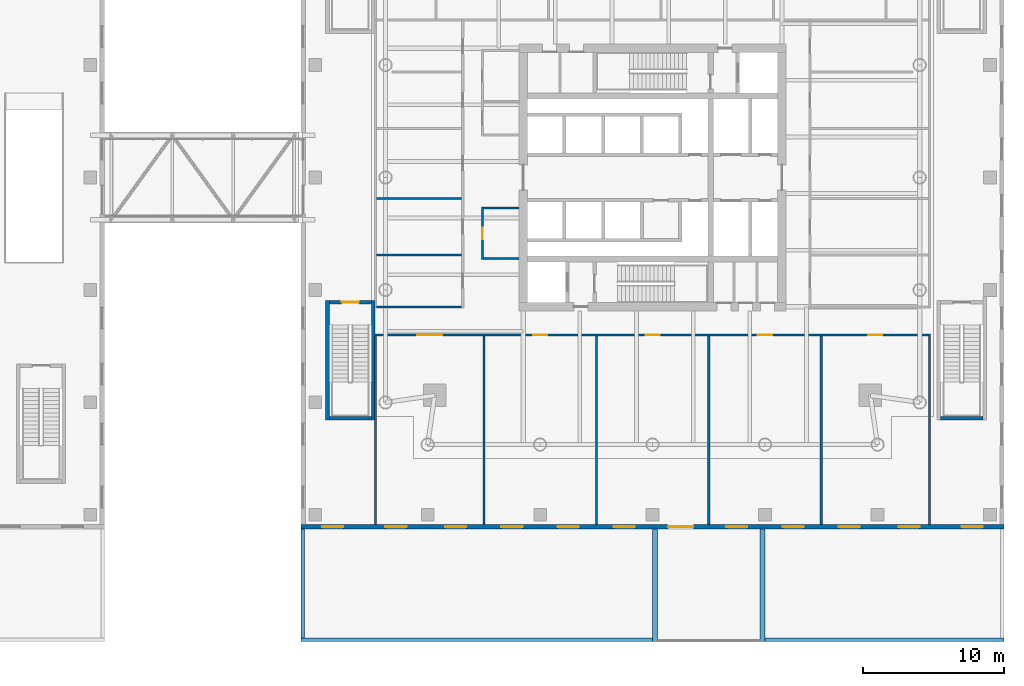
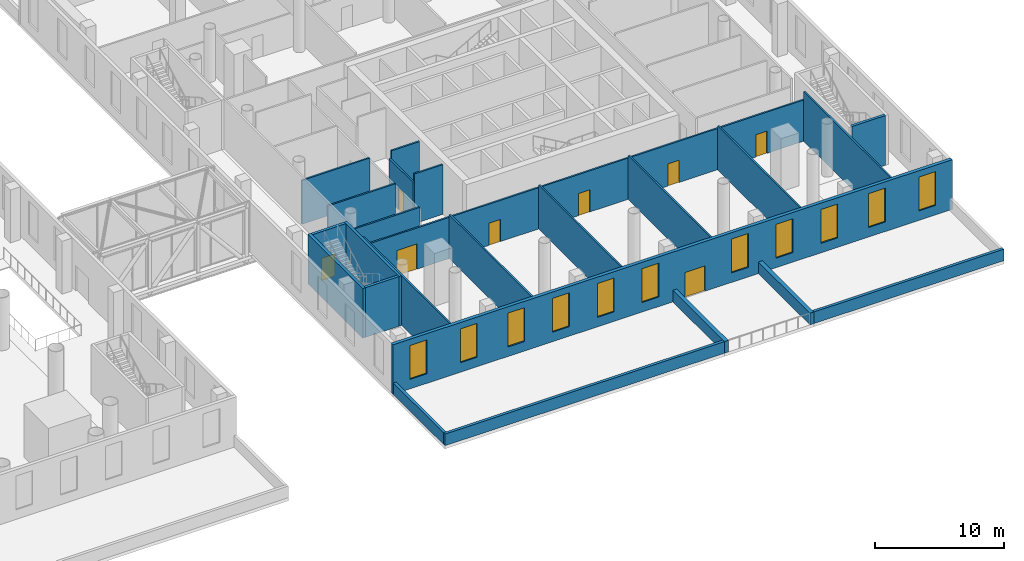
# One storey, part 13 of 23: 24 walls, 11 windows, 8 doors, 19 openings.
"""IFC4 building model written with IfcOpenShell, lengths in metres."""

from ifc_helpers import new_model, si_unit, direction, frame, frame_2d, origin, place, context, subcontext, project, spatial, rectangle, extrude, material, layer, layer_set, type_object, element, fill, save


model = new_model("IFC4")

# Units and contexts
model_context = context("Model", 3, precision=1e-05, world=origin(), true_north=direction((0.0, 1.0)))
body_context = subcontext(model_context, "Body", "Model", "MODEL_VIEW")
ifc_project = project(units=[si_unit("LENGTHUNIT", "METRE"), si_unit("AREAUNIT", "SQUARE_METRE"), si_unit("VOLUMEUNIT", "CUBIC_METRE"), si_unit("PLANEANGLEUNIT", "RADIAN"), si_unit("MASSUNIT", "GRAM", prefix="KILO")], contexts=[model_context])

# Site, building, storey
site_placement = place(None, origin())
site = spatial("IfcSite", under=ifc_project, at=site_placement, CompositionType="ELEMENT")
building_placement = place(site_placement, origin())
building = spatial("IfcBuilding", under=site, at=building_placement, Name="Ostroluk Exchange", CompositionType="ELEMENT")
storey_placement = place(building_placement, frame((0.0, 0.0, 11.0)))
storey = spatial("IfcBuildingStorey", under=building, at=storey_placement, Name="L02", CompositionType="ELEMENT", Elevation=11.0)

# Walls
ifc_material_1 = material(Name="Concrete blockwork", Category="masonry")
ifc_layer_1 = layer(ifc_material_1, 0.25)
ifc_layer_set_1 = layer_set([ifc_layer_1], Name="Blockwork stair enclosure wall 250")
wall_type_1 = type_object("IfcWallType", Name="Blockwork stair enclosure wall 250", PredefinedType="SOLIDWALL", material=ifc_layer_set_1)
for number, where, z_axis, x_axis, name in (
    (1, (93.875, 28.75, 0.0), (0.0, 0.0, 1.0), (0.0, 1.0, 0.0), "Stair PS5 enclosure wall"),
    (2, (97.125, 28.75, 0.0), (0.0, 0.0, 1.0), (0.0, 1.0, 0.0), "Stair PS5 enclosure wall"),
):
    element("IfcWall", number, at=place(storey_placement, frame(where, z_axis=z_axis, x_axis=x_axis)), inside=storey, type_object=wall_type_1, Name=name, PredefinedType="SOLIDWALL", context=body_context, shape_type="SweptSolid", body=[
        extrude(rectangle(XDim=8.5, YDim=0.25, at=frame_2d((4.25, 0.0))), origin(), (0.0, 0.0, 1.0), 4.699951171875),
    ])
wall_1_placement = place(storey_placement, frame((94.0, 28.875, 0.0), z_axis=(0.0, 0.0, 1.0), x_axis=(1.0, 0.0, 0.0)))
element("IfcWall", 3, at=wall_1_placement, inside=storey, type_object=wall_type_1, Name="Stair PS5 enclosure wall", PredefinedType="SOLIDWALL", context=body_context, shape_type="SweptSolid", body=[
    extrude(rectangle(XDim=3.0, YDim=0.25, at=frame_2d((1.5, 0.0))), origin(), (0.0, 0.0, 1.0), 4.699951171875),
])

# Wall, opening, door
wall_2_placement = place(storey_placement, frame((94.0, 37.125, 0.0), z_axis=(0.0, 0.0, 1.0), x_axis=(1.0, 0.0, 0.0)))
wall_2 = element("IfcWall", 4, at=wall_2_placement, inside=storey, type_object=wall_type_1, Name="Stair PS5 enclosure wall", PredefinedType="SOLIDWALL", context=body_context, shape_type="SweptSolid", body=[
    extrude(rectangle(XDim=3.0, YDim=0.25, at=frame_2d((1.5, 0.0))), origin(), (0.0, 0.0, 1.0), 4.699951171875),
])
opening_1_placement = place(wall_2_placement, frame((0.89990234375, 0.0, 0.0)))
opening_1 = element("IfcOpeningElement", 5, at=opening_1_placement, cuts=wall_2, Name="Opening FD60S", PredefinedType="OPENING", context=body_context, shape_type="SweptSolid", body=[
    extrude(rectangle(XDim=1.199951171875, YDim=2.10009765625, at=frame_2d((0.60009765625, 1.050048828125))), frame((0.0, 0.135009765625, 0.0), z_axis=(0.0, -1.0, 0.0), x_axis=(1.0, 0.0, 0.0)), (0.0, 0.0, 1.0), 0.27001953125),
])
ifc_material_2 = material(Name="Steel", Category="steel")
door_type_1 = type_object("IfcDoorType", Name="Stair door EI 60 1200 x 2100", OperationType="SINGLE_SWING_LEFT", PredefinedType="DOOR", material=ifc_material_2)
door_1_placement = place(opening_1_placement, origin())
door_1 = element("IfcDoor", 6, at=door_1_placement, inside=storey, type_object=door_type_1, Name="Stair PS5 door", OperationType="SINGLE_SWING_LEFT", OverallHeight=2.10009765625, OverallWidth=1.199951171875, PredefinedType="DOOR", context=body_context, shape_type="SweptSolid", body=[
    extrude(rectangle(XDim=1.199951171875, YDim=2.10009765625, at=frame_2d((0.60009765625, 1.050048828125))), frame((0.0, 0.02490234375, 0.0), z_axis=(0.0, -1.0, 0.0), x_axis=(1.0, 0.0, 0.0)), (0.0, 0.0, 1.0), 0.050048828125),
])
fill(opening_1, door_1)

# Walls
wall_3_placement = place(storey_placement, frame((137.5, 28.875, 0.0), z_axis=(0.0, 0.0, 1.0), x_axis=(1.0, 0.0, 0.0)))
element("IfcWall", 7, at=wall_3_placement, inside=storey, type_object=wall_type_1, Name="Stair PS7 enclosure wall", PredefinedType="SOLIDWALL", context=body_context, shape_type="SweptSolid", body=[
    extrude(rectangle(XDim=3.0, YDim=0.25, at=frame_2d((1.5, 0.0))), origin(), (0.0, 0.0, 1.0), 4.699951171875),
])
ifc_material_3 = material(Name="Limestone", Category="masonry")
ifc_layer_2 = layer(ifc_material_3, 0.25)
ifc_layer_set_2 = layer_set([ifc_layer_2], Name="Green roof parapet 250")
wall_type_2 = type_object("IfcWallType", Name="Green roof parapet 250", PredefinedType="PARAPET", material=ifc_layer_set_2)
wall_4_placement = place(storey_placement, frame((92.0, 13.125, 0.0), z_axis=(0.0, 0.0, 1.0), x_axis=(1.0, 0.0, 0.0)))
element("IfcWall", 8, at=wall_4_placement, inside=storey, type_object=wall_type_2, Name="Green roof parapet L02 1", PredefinedType="PARAPET", context=body_context, shape_type="SweptSolid", body=[
    extrude(rectangle(XDim=24.989990234375, YDim=0.25, at=frame_2d((12.4951171875, 0.0))), origin(), (0.0, 0.0, 1.0), 1.10009765625),
])
wall_5_placement = place(storey_placement, frame((92.125, 13.25, 0.0), z_axis=(0.0, 0.0, 1.0), x_axis=(0.0, 1.0, 0.0)))
element("IfcWall", 9, at=wall_5_placement, inside=storey, type_object=wall_type_2, Name="Green roof parapet L02 2", PredefinedType="PARAPET", context=body_context, shape_type="SweptSolid", body=[
    extrude(rectangle(XDim=7.739990234375, YDim=0.25, at=frame_2d((3.8701171875, 0.0))), origin(), (0.0, 0.0, 1.0), 1.10009765625),
])
wall_6_placement = place(storey_placement, frame((125.010009765625, 13.125, 0.0), z_axis=(0.0, 0.0, 1.0), x_axis=(1.0, 0.0, 0.0)))
element("IfcWall", 10, at=wall_6_placement, inside=storey, type_object=wall_type_2, Name="Green roof parapet L02 1", PredefinedType="PARAPET", context=body_context, shape_type="SweptSolid", body=[
    extrude(rectangle(XDim=16.989990234375, YDim=0.25, at=frame_2d((8.4951171875, 0.0))), origin(), (0.0, 0.0, 1.0), 1.10009765625),
])

# Wall, openings, windows, door
ifc_material_4 = material(Name="Limestone", Category="masonry")
ifc_layer_3 = layer(ifc_material_4, 0.300048828125)
ifc_layer_set_3 = layer_set([ifc_layer_3], Name="Limestone facade wall 300")
wall_type_3 = type_object("IfcWallType", Name="Limestone facade wall 300", PredefinedType="SOLIDWALL", material=ifc_layer_set_3)
wall_7_placement = place(storey_placement, frame((92.0, 21.14990234375, 0.0), z_axis=(0.0, 0.0, 1.0), x_axis=(1.0, 0.0, 0.0)))
wall_7 = element("IfcWall", 11, at=wall_7_placement, inside=storey, type_object=wall_type_3, Name="Podium east S wall L02 1a", PredefinedType="SOLIDWALL", context=body_context, shape_type="SweptSolid", body=[
    extrude(rectangle(XDim=50.0, YDim=0.300048828125, at=frame_2d((25.0, 0.0))), origin(), (0.0, 0.0, 1.0), 4.699951171875),
])
opening_2_placement = place(wall_7_placement, frame((1.5, 0.0, 0.89990234375)))
opening_2 = element("IfcOpeningElement", 12, at=opening_2_placement, cuts=wall_7, Name="Opening WN-L2", PredefinedType="OPENING", context=body_context, shape_type="SweptSolid", body=[
    extrude(rectangle(XDim=1.5, YDim=3.199951171875, at=frame_2d((0.75, 1.60009765625))), frame((0.0, 0.159912109375, 0.0), z_axis=(0.0, -1.0, 0.0), x_axis=(1.0, 0.0, 0.0)), (0.0, 0.0, 1.0), 0.320068359375),
])
opening_3_placement = place(wall_7_placement, frame((6.0, 0.0, 0.89990234375)))
opening_3 = element("IfcOpeningElement", 13, at=opening_3_placement, cuts=wall_7, Name="Opening WN-L2", PredefinedType="OPENING", context=body_context, shape_type="SweptSolid", body=[
    extrude(rectangle(XDim=1.5, YDim=3.199951171875, at=frame_2d((0.75, 1.60009765625))), frame((0.0, 0.159912109375, 0.0), z_axis=(0.0, -1.0, 0.0), x_axis=(1.0, 0.0, 0.0)), (0.0, 0.0, 1.0), 0.320068359375),
])
opening_4_placement = place(wall_7_placement, frame((10.25, 0.0, 0.89990234375)))
opening_4 = element("IfcOpeningElement", 14, at=opening_4_placement, cuts=wall_7, Name="Opening WN-L2", PredefinedType="OPENING", context=body_context, shape_type="SweptSolid", body=[
    extrude(rectangle(XDim=1.5, YDim=3.199951171875, at=frame_2d((0.75, 1.60009765625))), frame((0.0, 0.159912109375, 0.0), z_axis=(0.0, -1.0, 0.0), x_axis=(1.0, 0.0, 0.0)), (0.0, 0.0, 1.0), 0.320068359375),
])
opening_5_placement = place(wall_7_placement, frame((14.25, 0.0, 0.89990234375)))
opening_5 = element("IfcOpeningElement", 15, at=opening_5_placement, cuts=wall_7, Name="Opening WN-L2", PredefinedType="OPENING", context=body_context, shape_type="SweptSolid", body=[
    extrude(rectangle(XDim=1.5, YDim=3.199951171875, at=frame_2d((0.75, 1.60009765625))), frame((0.0, 0.159912109375, 0.0), z_axis=(0.0, -1.0, 0.0), x_axis=(1.0, 0.0, 0.0)), (0.0, 0.0, 1.0), 0.320068359375),
])
opening_6_placement = place(wall_7_placement, frame((18.25, 0.0, 0.89990234375)))
opening_6 = element("IfcOpeningElement", 16, at=opening_6_placement, cuts=wall_7, Name="Opening WN-L2", PredefinedType="OPENING", context=body_context, shape_type="SweptSolid", body=[
    extrude(rectangle(XDim=1.5, YDim=3.199951171875, at=frame_2d((0.75, 1.60009765625))), frame((0.0, 0.159912109375, 0.0), z_axis=(0.0, -1.0, 0.0), x_axis=(1.0, 0.0, 0.0)), (0.0, 0.0, 1.0), 0.320068359375),
])
opening_7_placement = place(wall_7_placement, frame((22.25, 0.0, 0.89990234375)))
opening_7 = element("IfcOpeningElement", 17, at=opening_7_placement, cuts=wall_7, Name="Opening WN-L2", PredefinedType="OPENING", context=body_context, shape_type="SweptSolid", body=[
    extrude(rectangle(XDim=1.5, YDim=3.199951171875, at=frame_2d((0.75, 1.60009765625))), frame((0.0, 0.159912109375, 0.0), z_axis=(0.0, -1.0, 0.0), x_axis=(1.0, 0.0, 0.0)), (0.0, 0.0, 1.0), 0.320068359375),
])
opening_8_placement = place(wall_7_placement, frame((26.10009765625, 0.0, 0.0)))
opening_8 = element("IfcOpeningElement", 18, at=opening_8_placement, cuts=wall_7, Name="Opening D-T1", PredefinedType="OPENING", context=body_context, shape_type="SweptSolid", body=[
    extrude(rectangle(XDim=1.800048828125, YDim=2.39990234375, at=frame_2d((0.89990234375, 1.199951171875))), frame((0.0, 0.159912109375, 0.0), z_axis=(0.0, -1.0, 0.0), x_axis=(1.0, 0.0, 0.0)), (0.0, 0.0, 1.0), 0.320068359375),
])
opening_9_placement = place(wall_7_placement, frame((30.25, 0.0, 0.89990234375)))
opening_9 = element("IfcOpeningElement", 19, at=opening_9_placement, cuts=wall_7, Name="Opening WN-L2", PredefinedType="OPENING", context=body_context, shape_type="SweptSolid", body=[
    extrude(rectangle(XDim=1.5, YDim=3.199951171875, at=frame_2d((0.75, 1.60009765625))), frame((0.0, 0.159912109375, 0.0), z_axis=(0.0, -1.0, 0.0), x_axis=(1.0, 0.0, 0.0)), (0.0, 0.0, 1.0), 0.320068359375),
])
opening_10_placement = place(wall_7_placement, frame((34.25, 0.0, 0.89990234375)))
opening_10 = element("IfcOpeningElement", 20, at=opening_10_placement, cuts=wall_7, Name="Opening WN-L2", PredefinedType="OPENING", context=body_context, shape_type="SweptSolid", body=[
    extrude(rectangle(XDim=1.5, YDim=3.199951171875, at=frame_2d((0.75, 1.60009765625))), frame((0.0, 0.159912109375, 0.0), z_axis=(0.0, -1.0, 0.0), x_axis=(1.0, 0.0, 0.0)), (0.0, 0.0, 1.0), 0.320068359375),
])
opening_11_placement = place(wall_7_placement, frame((38.25, 0.0, 0.89990234375)))
opening_11 = element("IfcOpeningElement", 21, at=opening_11_placement, cuts=wall_7, Name="Opening WN-L2", PredefinedType="OPENING", context=body_context, shape_type="SweptSolid", body=[
    extrude(rectangle(XDim=1.5, YDim=3.199951171875, at=frame_2d((0.75, 1.60009765625))), frame((0.0, 0.159912109375, 0.0), z_axis=(0.0, -1.0, 0.0), x_axis=(1.0, 0.0, 0.0)), (0.0, 0.0, 1.0), 0.320068359375),
])
opening_12_placement = place(wall_7_placement, frame((42.5, 0.0, 0.89990234375)))
opening_12 = element("IfcOpeningElement", 22, at=opening_12_placement, cuts=wall_7, Name="Opening WN-L2", PredefinedType="OPENING", context=body_context, shape_type="SweptSolid", body=[
    extrude(rectangle(XDim=1.5, YDim=3.199951171875, at=frame_2d((0.75, 1.60009765625))), frame((0.0, 0.159912109375, 0.0), z_axis=(0.0, -1.0, 0.0), x_axis=(1.0, 0.0, 0.0)), (0.0, 0.0, 1.0), 0.320068359375),
])
opening_13_placement = place(wall_7_placement, frame((47.0, 0.0, 0.89990234375)))
opening_13 = element("IfcOpeningElement", 23, at=opening_13_placement, cuts=wall_7, Name="Opening WN-L2", PredefinedType="OPENING", context=body_context, shape_type="SweptSolid", body=[
    extrude(rectangle(XDim=1.5, YDim=3.199951171875, at=frame_2d((0.75, 1.60009765625))), frame((0.0, 0.159912109375, 0.0), z_axis=(0.0, -1.0, 0.0), x_axis=(1.0, 0.0, 0.0)), (0.0, 0.0, 1.0), 0.320068359375),
])
ifc_material_5 = material(Name="Laminated clear glass", Category="glass")
window_type = type_object("IfcWindowType", Name="Podium lancet window 1500 x 3200", PartitioningType="DOUBLE_PANEL_VERTICAL", PredefinedType="WINDOW", material=ifc_material_5)
window_1_placement = place(opening_2_placement, origin())
window_1 = element("IfcWindow", 24, at=window_1_placement, inside=storey, type_object=window_type, Name="Podium east lancet window S L02 1.1", OverallHeight=3.199951171875, OverallWidth=1.5, PartitioningType="SINGLE_PANEL", PredefinedType="WINDOW", context=body_context, shape_type="SweptSolid", body=[
    extrude(rectangle(XDim=1.5, YDim=3.199951171875, at=frame_2d((0.75, 1.60009765625))), frame((0.0, 0.030029296875, 0.0), z_axis=(0.0, -1.0, 0.0), x_axis=(1.0, 0.0, 0.0)), (0.0, 0.0, 1.0), 0.06005859375),
])
fill(opening_2, window_1)
window_2_placement = place(opening_3_placement, origin())
window_2 = element("IfcWindow", 25, at=window_2_placement, inside=storey, type_object=window_type, Name="Podium east lancet window S L02 1.2", OverallHeight=3.199951171875, OverallWidth=1.5, PartitioningType="SINGLE_PANEL", PredefinedType="WINDOW", context=body_context, shape_type="SweptSolid", body=[
    extrude(rectangle(XDim=1.5, YDim=3.199951171875, at=frame_2d((0.75, 1.60009765625))), frame((0.0, 0.030029296875, 0.0), z_axis=(0.0, -1.0, 0.0), x_axis=(1.0, 0.0, 0.0)), (0.0, 0.0, 1.0), 0.06005859375),
])
fill(opening_3, window_2)
window_3_placement = place(opening_4_placement, origin())
window_3 = element("IfcWindow", 26, at=window_3_placement, inside=storey, type_object=window_type, Name="Podium east lancet window S L02 2.1", OverallHeight=3.199951171875, OverallWidth=1.5, PartitioningType="SINGLE_PANEL", PredefinedType="WINDOW", context=body_context, shape_type="SweptSolid", body=[
    extrude(rectangle(XDim=1.5, YDim=3.199951171875, at=frame_2d((0.75, 1.60009765625))), frame((0.0, 0.030029296875, 0.0), z_axis=(0.0, -1.0, 0.0), x_axis=(1.0, 0.0, 0.0)), (0.0, 0.0, 1.0), 0.06005859375),
])
fill(opening_4, window_3)
window_4_placement = place(opening_5_placement, origin())
window_4 = element("IfcWindow", 27, at=window_4_placement, inside=storey, type_object=window_type, Name="Podium east lancet window S L02 2.2", OverallHeight=3.199951171875, OverallWidth=1.5, PartitioningType="SINGLE_PANEL", PredefinedType="WINDOW", context=body_context, shape_type="SweptSolid", body=[
    extrude(rectangle(XDim=1.5, YDim=3.199951171875, at=frame_2d((0.75, 1.60009765625))), frame((0.0, 0.030029296875, 0.0), z_axis=(0.0, -1.0, 0.0), x_axis=(1.0, 0.0, 0.0)), (0.0, 0.0, 1.0), 0.06005859375),
])
fill(opening_5, window_4)
window_5_placement = place(opening_6_placement, origin())
window_5 = element("IfcWindow", 28, at=window_5_placement, inside=storey, type_object=window_type, Name="Podium east lancet window S L02 3.1", OverallHeight=3.199951171875, OverallWidth=1.5, PartitioningType="SINGLE_PANEL", PredefinedType="WINDOW", context=body_context, shape_type="SweptSolid", body=[
    extrude(rectangle(XDim=1.5, YDim=3.199951171875, at=frame_2d((0.75, 1.60009765625))), frame((0.0, 0.030029296875, 0.0), z_axis=(0.0, -1.0, 0.0), x_axis=(1.0, 0.0, 0.0)), (0.0, 0.0, 1.0), 0.06005859375),
])
fill(opening_6, window_5)
window_6_placement = place(opening_7_placement, origin())
window_6 = element("IfcWindow", 29, at=window_6_placement, inside=storey, type_object=window_type, Name="Podium east lancet window S L02 3.2", OverallHeight=3.199951171875, OverallWidth=1.5, PartitioningType="SINGLE_PANEL", PredefinedType="WINDOW", context=body_context, shape_type="SweptSolid", body=[
    extrude(rectangle(XDim=1.5, YDim=3.199951171875, at=frame_2d((0.75, 1.60009765625))), frame((0.0, 0.030029296875, 0.0), z_axis=(0.0, -1.0, 0.0), x_axis=(1.0, 0.0, 0.0)), (0.0, 0.0, 1.0), 0.06005859375),
])
fill(opening_7, window_6)
window_7_placement = place(opening_9_placement, origin())
window_7 = element("IfcWindow", 30, at=window_7_placement, inside=storey, type_object=window_type, Name="Podium east lancet window S L02 4.2", OverallHeight=3.199951171875, OverallWidth=1.5, PartitioningType="SINGLE_PANEL", PredefinedType="WINDOW", context=body_context, shape_type="SweptSolid", body=[
    extrude(rectangle(XDim=1.5, YDim=3.199951171875, at=frame_2d((0.75, 1.60009765625))), frame((0.0, 0.030029296875, 0.0), z_axis=(0.0, -1.0, 0.0), x_axis=(1.0, 0.0, 0.0)), (0.0, 0.0, 1.0), 0.06005859375),
])
fill(opening_9, window_7)
window_8_placement = place(opening_10_placement, origin())
window_8 = element("IfcWindow", 31, at=window_8_placement, inside=storey, type_object=window_type, Name="Podium east lancet window S L02 5.1", OverallHeight=3.199951171875, OverallWidth=1.5, PartitioningType="SINGLE_PANEL", PredefinedType="WINDOW", context=body_context, shape_type="SweptSolid", body=[
    extrude(rectangle(XDim=1.5, YDim=3.199951171875, at=frame_2d((0.75, 1.60009765625))), frame((0.0, 0.030029296875, 0.0), z_axis=(0.0, -1.0, 0.0), x_axis=(1.0, 0.0, 0.0)), (0.0, 0.0, 1.0), 0.06005859375),
])
fill(opening_10, window_8)
window_9_placement = place(opening_11_placement, origin())
window_9 = element("IfcWindow", 32, at=window_9_placement, inside=storey, type_object=window_type, Name="Podium east lancet window S L02 5.2", OverallHeight=3.199951171875, OverallWidth=1.5, PartitioningType="SINGLE_PANEL", PredefinedType="WINDOW", context=body_context, shape_type="SweptSolid", body=[
    extrude(rectangle(XDim=1.5, YDim=3.199951171875, at=frame_2d((0.75, 1.60009765625))), frame((0.0, 0.030029296875, 0.0), z_axis=(0.0, -1.0, 0.0), x_axis=(1.0, 0.0, 0.0)), (0.0, 0.0, 1.0), 0.06005859375),
])
fill(opening_11, window_9)
window_10_placement = place(opening_12_placement, origin())
window_10 = element("IfcWindow", 33, at=window_10_placement, inside=storey, type_object=window_type, Name="Podium east lancet window S L02 6.1", OverallHeight=3.199951171875, OverallWidth=1.5, PartitioningType="SINGLE_PANEL", PredefinedType="WINDOW", context=body_context, shape_type="SweptSolid", body=[
    extrude(rectangle(XDim=1.5, YDim=3.199951171875, at=frame_2d((0.75, 1.60009765625))), frame((0.0, 0.030029296875, 0.0), z_axis=(0.0, -1.0, 0.0), x_axis=(1.0, 0.0, 0.0)), (0.0, 0.0, 1.0), 0.06005859375),
])
fill(opening_12, window_10)
window_11_placement = place(opening_13_placement, origin())
window_11 = element("IfcWindow", 34, at=window_11_placement, inside=storey, type_object=window_type, Name="Podium east lancet window S L02 6.2", OverallHeight=3.199951171875, OverallWidth=1.5, PartitioningType="SINGLE_PANEL", PredefinedType="WINDOW", context=body_context, shape_type="SweptSolid", body=[
    extrude(rectangle(XDim=1.5, YDim=3.199951171875, at=frame_2d((0.75, 1.60009765625))), frame((0.0, 0.030029296875, 0.0), z_axis=(0.0, -1.0, 0.0), x_axis=(1.0, 0.0, 0.0)), (0.0, 0.0, 1.0), 0.06005859375),
])
fill(opening_13, window_11)
ifc_material_6 = material(Name="Bronze framed glazed door", Category="aluminium")
door_type_2 = type_object("IfcDoorType", Name="Terrace double door 1800 x 2400", OperationType="DOUBLE_DOOR_SINGLE_SWING", PredefinedType="DOOR", material=ifc_material_6)
door_2_placement = place(opening_8_placement, origin())
door_2 = element("IfcDoor", 35, at=door_2_placement, inside=storey, type_object=door_type_2, Name="Podium east terrace door S L02 4", OperationType="DOUBLE_DOOR_SINGLE_SWING", OverallHeight=2.39990234375, OverallWidth=1.800048828125, PredefinedType="DOOR", context=body_context, shape_type="SweptSolid", body=[
    extrude(rectangle(XDim=1.800048828125, YDim=2.39990234375, at=frame_2d((0.89990234375, 1.199951171875))), frame((0.0, 0.02490234375, 0.0), z_axis=(0.0, -1.0, 0.0), x_axis=(1.0, 0.0, 0.0)), (0.0, 0.0, 1.0), 0.050048828125),
])
fill(opening_8, door_2)

# Walls
ifc_material_7 = material(Name="Limestone", Category="masonry")
ifc_layer_4 = layer(ifc_material_7, 0.35009765625)
ifc_layer_set_4 = layer_set([ifc_layer_4], Name="Planter wall 350")
wall_type_4 = type_object("IfcWallType", Name="Planter wall 350", PredefinedType="PARAPET", material=ifc_layer_set_4)
for number, where, z_axis, x_axis, name in (
    (36, (117.175048828125, 13.0, 0.0), (0.0, 0.0, 1.0), (0.0, 1.0, 0.0), "Terrace planter wall L02 1"),
    (37, (124.824951171875, 13.0, 0.0), (0.0, 0.0, 1.0), (0.0, 1.0, 0.0), "Terrace planter wall L02 2"),
):
    element("IfcWall", number, at=place(storey_placement, frame(where, z_axis=z_axis, x_axis=x_axis)), inside=storey, type_object=wall_type_4, Name=name, PredefinedType="PARAPET", context=body_context, shape_type="SweptSolid", body=[
        extrude(rectangle(XDim=8.0, YDim=0.35009765625, at=frame_2d((4.0, 0.0))), origin(), (0.0, 0.0, 1.0), 1.10009765625),
    ])

# Wall, openings, doors
ifc_material_8 = material(Name="Gypsum plasterboard partition", Category="gypsum")
ifc_layer_5 = layer(ifc_material_8, 0.14990234375)
ifc_layer_set_5 = layer_set([ifc_layer_5], Name="Plasterboard partition 150")
wall_type_5 = type_object("IfcWallType", Name="Plasterboard partition 150", PredefinedType="PARTITIONING", material=ifc_layer_set_5)
wall_8_placement = place(storey_placement, frame((97.22509765625, 34.800048828125, 0.0), z_axis=(0.0, 0.0, 1.0), x_axis=(1.0, 0.0, 0.0)))
wall_8 = element("IfcWall", 38, at=wall_8_placement, inside=storey, type_object=wall_type_5, Name="Partition", PredefinedType="PARTITIONING", context=body_context, shape_type="SweptSolid", body=[
    extrude(rectangle(XDim=39.5498046875, YDim=0.14990234375, at=frame_2d((19.77490234375, 0.0))), origin(), (0.0, 0.0, 1.0), 3.89990234375),
])
opening_14_placement = place(wall_8_placement, frame((3.02490234375, 0.0, 0.0)))
opening_14 = element("IfcOpeningElement", 39, at=opening_14_placement, cuts=wall_8, Name="Opening D-04", PredefinedType="OPENING", context=body_context, shape_type="SweptSolid", body=[
    extrude(rectangle(XDim=1.800048828125, YDim=2.39990234375, at=frame_2d((0.89990234375, 1.199951171875))), frame((0.0, 0.0849609375, 0.0), z_axis=(0.0, -1.0, 0.0), x_axis=(1.0, 0.0, 0.0)), (0.0, 0.0, 1.0), 0.169921875),
])
opening_15_placement = place(wall_8_placement, frame((11.27490234375, 0.0, 0.0)))
opening_15 = element("IfcOpeningElement", 40, at=opening_15_placement, cuts=wall_8, Name="Opening D-03", PredefinedType="OPENING", context=body_context, shape_type="SweptSolid", body=[
    extrude(rectangle(XDim=1.0, YDim=2.10009765625, at=frame_2d((0.5, 1.050048828125))), frame((0.0, 0.0849609375, 0.0), z_axis=(0.0, -1.0, 0.0), x_axis=(1.0, 0.0, 0.0)), (0.0, 0.0, 1.0), 0.169921875),
])
opening_16_placement = place(wall_8_placement, frame((19.27490234375, 0.0, 0.0)))
opening_16 = element("IfcOpeningElement", 41, at=opening_16_placement, cuts=wall_8, Name="Opening D-03", PredefinedType="OPENING", context=body_context, shape_type="SweptSolid", body=[
    extrude(rectangle(XDim=1.0, YDim=2.10009765625, at=frame_2d((0.5, 1.050048828125))), frame((0.0, 0.0849609375, 0.0), z_axis=(0.0, -1.0, 0.0), x_axis=(1.0, 0.0, 0.0)), (0.0, 0.0, 1.0), 0.169921875),
])
opening_17_placement = place(wall_8_placement, frame((27.27490234375, 0.0, 0.0)))
opening_17 = element("IfcOpeningElement", 42, at=opening_17_placement, cuts=wall_8, Name="Opening D-03", PredefinedType="OPENING", context=body_context, shape_type="SweptSolid", body=[
    extrude(rectangle(XDim=1.0, YDim=2.10009765625, at=frame_2d((0.5, 1.050048828125))), frame((0.0, 0.0849609375, 0.0), z_axis=(0.0, -1.0, 0.0), x_axis=(1.0, 0.0, 0.0)), (0.0, 0.0, 1.0), 0.169921875),
])
opening_18_placement = place(wall_8_placement, frame((35.125, 0.0, 0.0)))
opening_18 = element("IfcOpeningElement", 43, at=opening_18_placement, cuts=wall_8, Name="Opening D-03", PredefinedType="OPENING", context=body_context, shape_type="SweptSolid", body=[
    extrude(rectangle(XDim=1.0, YDim=2.10009765625, at=frame_2d((0.5, 1.050048828125))), frame((0.0, 0.0849609375, 0.0), z_axis=(0.0, -1.0, 0.0), x_axis=(1.0, 0.0, 0.0)), (0.0, 0.0, 1.0), 0.169921875),
])
ifc_material_9 = material(Name="Timber", Category="wood")
door_type_3 = type_object("IfcDoorType", Name="Double door 1800 x 2400", OperationType="DOUBLE_DOOR_SINGLE_SWING", PredefinedType="DOOR", material=ifc_material_9)
door_3_placement = place(opening_14_placement, origin())
door_3 = element("IfcDoor", 44, at=door_3_placement, inside=storey, type_object=door_type_3, Name="Conference room door", OperationType="DOUBLE_DOOR_SINGLE_SWING", OverallHeight=2.39990234375, OverallWidth=1.800048828125, PredefinedType="DOOR", context=body_context, shape_type="SweptSolid", body=[
    extrude(rectangle(XDim=1.800048828125, YDim=2.39990234375, at=frame_2d((0.89990234375, 1.199951171875))), frame((0.0, 0.02490234375, 0.0), z_axis=(0.0, -1.0, 0.0), x_axis=(1.0, 0.0, 0.0)), (0.0, 0.0, 1.0), 0.050048828125),
])
fill(opening_14, door_3)
ifc_material_10 = material(Name="Timber", Category="wood")
door_type_4 = type_object("IfcDoorType", Name="Internal door 1000 x 2100", OperationType="SINGLE_SWING_LEFT", PredefinedType="DOOR", material=ifc_material_10)
door_4_placement = place(opening_15_placement, origin())
door_4 = element("IfcDoor", 45, at=door_4_placement, inside=storey, type_object=door_type_4, Name="Office door", OperationType="SINGLE_SWING_LEFT", OverallHeight=2.10009765625, OverallWidth=1.0, PredefinedType="DOOR", context=body_context, shape_type="SweptSolid", body=[
    extrude(rectangle(XDim=1.0, YDim=2.10009765625, at=frame_2d((0.5, 1.050048828125))), frame((0.0, 0.02490234375, 0.0), z_axis=(0.0, -1.0, 0.0), x_axis=(1.0, 0.0, 0.0)), (0.0, 0.0, 1.0), 0.050048828125),
])
fill(opening_15, door_4)
door_5_placement = place(opening_16_placement, origin())
door_5 = element("IfcDoor", 46, at=door_5_placement, inside=storey, type_object=door_type_4, Name="Office door", OperationType="SINGLE_SWING_LEFT", OverallHeight=2.10009765625, OverallWidth=1.0, PredefinedType="DOOR", context=body_context, shape_type="SweptSolid", body=[
    extrude(rectangle(XDim=1.0, YDim=2.10009765625, at=frame_2d((0.5, 1.050048828125))), frame((0.0, 0.02490234375, 0.0), z_axis=(0.0, -1.0, 0.0), x_axis=(1.0, 0.0, 0.0)), (0.0, 0.0, 1.0), 0.050048828125),
])
fill(opening_16, door_5)
door_6_placement = place(opening_17_placement, origin())
door_6 = element("IfcDoor", 47, at=door_6_placement, inside=storey, type_object=door_type_4, Name="Office door", OperationType="SINGLE_SWING_RIGHT", OverallHeight=2.10009765625, OverallWidth=1.0, PredefinedType="DOOR", context=body_context, shape_type="SweptSolid", body=[
    extrude(rectangle(XDim=1.0, YDim=2.10009765625, at=frame_2d((0.5, 1.050048828125))), frame((0.0, 0.02490234375, 0.0), z_axis=(0.0, -1.0, 0.0), x_axis=(1.0, 0.0, 0.0)), (0.0, 0.0, 1.0), 0.050048828125),
])
fill(opening_17, door_6)
door_7_placement = place(opening_18_placement, origin())
door_7 = element("IfcDoor", 48, at=door_7_placement, inside=storey, type_object=door_type_4, Name="Office door", OperationType="SINGLE_SWING_RIGHT", OverallHeight=2.10009765625, OverallWidth=1.0, PredefinedType="DOOR", context=body_context, shape_type="SweptSolid", body=[
    extrude(rectangle(XDim=1.0, YDim=2.10009765625, at=frame_2d((0.5, 1.050048828125))), frame((0.0, 0.02490234375, 0.0), z_axis=(0.0, -1.0, 0.0), x_axis=(1.0, 0.0, 0.0)), (0.0, 0.0, 1.0), 0.050048828125),
])
fill(opening_18, door_7)

# Walls
for number, where, z_axis, x_axis, name in (
    (49, (97.300048828125, 21.300048828125, 0.0), (0.0, 0.0, 1.0), (0.0, 1.0, 0.0), "Partition"),
    (50, (136.699951171875, 21.300048828125, 0.0), (0.0, 0.0, 1.0), (0.0, 1.0, 0.0), "Partition"),
):
    element("IfcWall", number, at=place(storey_placement, frame(where, z_axis=z_axis, x_axis=x_axis)), inside=storey, type_object=wall_type_5, Name=name, PredefinedType="PARTITIONING", context=body_context, shape_type="SweptSolid", body=[
        extrude(rectangle(XDim=13.425048828125, YDim=0.14990234375, at=frame_2d((6.71240234375, 0.0))), origin(), (0.0, 0.0, 1.0), 4.699951171875),
    ])
for number, where, z_axis, x_axis, name in (
    (51, (105.0, 21.300048828125, 0.0), (0.0, 0.0, 1.0), (0.0, 1.0, 0.0), "Partition"),
    (52, (113.0, 21.300048828125, 0.0), (0.0, 0.0, 1.0), (0.0, 1.0, 0.0), "Partition"),
    (53, (121.0, 21.300048828125, 0.0), (0.0, 0.0, 1.0), (0.0, 1.0, 0.0), "Partition"),
    (54, (129.0, 21.300048828125, 0.0), (0.0, 0.0, 1.0), (0.0, 1.0, 0.0), "Partition"),
):
    element("IfcWall", number, at=place(storey_placement, frame(where, z_axis=z_axis, x_axis=x_axis)), inside=storey, type_object=wall_type_5, Name=name, PredefinedType="PARTITIONING", context=body_context, shape_type="SweptSolid", body=[
        extrude(rectangle(XDim=13.425048828125, YDim=0.14990234375, at=frame_2d((6.71240234375, 0.0))), origin(), (0.0, 0.0, 1.0), 4.14990234375),
    ])
for number, where, z_axis, x_axis, name in (
    (55, (97.375, 36.800048828125, 0.0), (0.0, 0.0, 1.0), (1.0, 0.0, 0.0), "Partition"),
    (56, (97.375, 40.5, 0.0), (0.0, 0.0, 1.0), (1.0, 0.0, 0.0), "Partition"),
    (57, (97.375, 44.5, 0.0), (0.0, 0.0, 1.0), (1.0, 0.0, 0.0), "Partition"),
):
    element("IfcWall", number, at=place(storey_placement, frame(where, z_axis=z_axis, x_axis=x_axis)), inside=storey, type_object=wall_type_5, Name=name, PredefinedType="PARTITIONING", context=body_context, shape_type="SweptSolid", body=[
        extrude(rectangle(XDim=6.050048828125, YDim=0.14990234375, at=frame_2d((3.02490234375, 0.0))), origin(), (0.0, 0.0, 1.0), 4.14990234375),
    ])

# Wall, opening, door
ifc_material_11 = material(Name="Gypsum plasterboard partition, moisture resistant", Category="gypsum")
ifc_layer_6 = layer(ifc_material_11, 0.14990234375)
ifc_layer_set_6 = layer_set([ifc_layer_6], Name="Plasterboard toilet partition 150")
wall_type_6 = type_object("IfcWallType", Name="Plasterboard toilet partition 150", PredefinedType="PARTITIONING", material=ifc_layer_set_6)
wall_9_placement = place(storey_placement, frame((104.89990234375, 43.89990234375, 0.0), z_axis=(0.0, 0.0, 1.0), x_axis=(0.0, -1.0, 0.0)))
wall_9 = element("IfcWall", 58, at=wall_9_placement, inside=storey, type_object=wall_type_6, Name="Toilet partition", PredefinedType="PARTITIONING", context=body_context, shape_type="SweptSolid", body=[
    extrude(rectangle(XDim=3.75, YDim=0.14990234375, at=frame_2d((1.875, 0.0))), origin(), (0.0, 0.0, 1.0), 3.947021484375),
])
opening_19_placement = place(wall_9_placement, frame((1.47509765625, 0.0, 0.0)))
opening_19 = element("IfcOpeningElement", 59, at=opening_19_placement, cuts=wall_9, Name="Opening D-06", PredefinedType="OPENING", context=body_context, shape_type="SweptSolid", body=[
    extrude(rectangle(XDim=0.800048828125, YDim=2.10009765625, at=frame_2d((0.39990234375, 1.050048828125))), frame((0.0, 0.0849609375, 0.0), z_axis=(0.0, -1.0, 0.0), x_axis=(1.0, 0.0, 0.0)), (0.0, 0.0, 1.0), 0.169921875),
])
ifc_material_12 = material(Name="Timber", Category="wood")
door_type_5 = type_object("IfcDoorType", Name="Toilet door 800 x 2100", OperationType="SINGLE_SWING_LEFT", PredefinedType="DOOR", material=ifc_material_12)
door_8_placement = place(opening_19_placement, origin())
door_8 = element("IfcDoor", 60, at=door_8_placement, inside=storey, type_object=door_type_5, Name="WC male door", OperationType="SINGLE_SWING_RIGHT", OverallHeight=2.10009765625, OverallWidth=0.800048828125, PredefinedType="DOOR", context=body_context, shape_type="SweptSolid", body=[
    extrude(rectangle(XDim=0.800048828125, YDim=2.10009765625, at=frame_2d((0.39990234375, 1.050048828125))), frame((0.0, 0.02490234375, 0.0), z_axis=(0.0, -1.0, 0.0), x_axis=(1.0, 0.0, 0.0)), (0.0, 0.0, 1.0), 0.050048828125),
])
fill(opening_19, door_8)

# Walls
for number, where, z_axis, x_axis, name in (
    (61, (104.97509765625, 43.824951171875, 0.0), (0.0, 0.0, 1.0), (1.0, 0.0, 0.0), "Toilet partition"),
    (62, (104.97509765625, 40.22509765625, 0.0), (0.0, 0.0, 1.0), (1.0, 0.0, 0.0), "Toilet partition"),
):
    element("IfcWall", number, at=place(storey_placement, frame(where, z_axis=z_axis, x_axis=x_axis)), inside=storey, type_object=wall_type_6, Name=name, PredefinedType="PARTITIONING", context=body_context, shape_type="SweptSolid", body=[
        extrude(rectangle(XDim=2.52490234375, YDim=0.14990234375, at=frame_2d((1.262451171875, 0.0))), origin(), (0.0, 0.0, 1.0), 4.699951171875),
    ])

save(model, "model.ifc")
